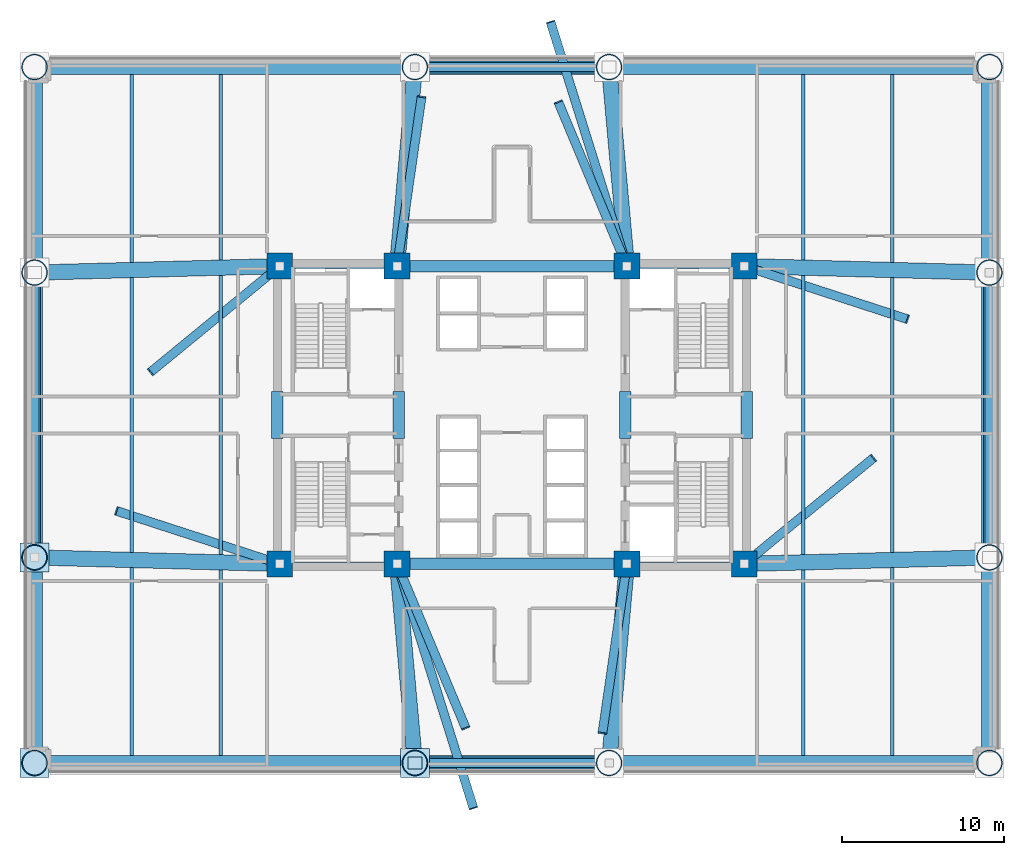
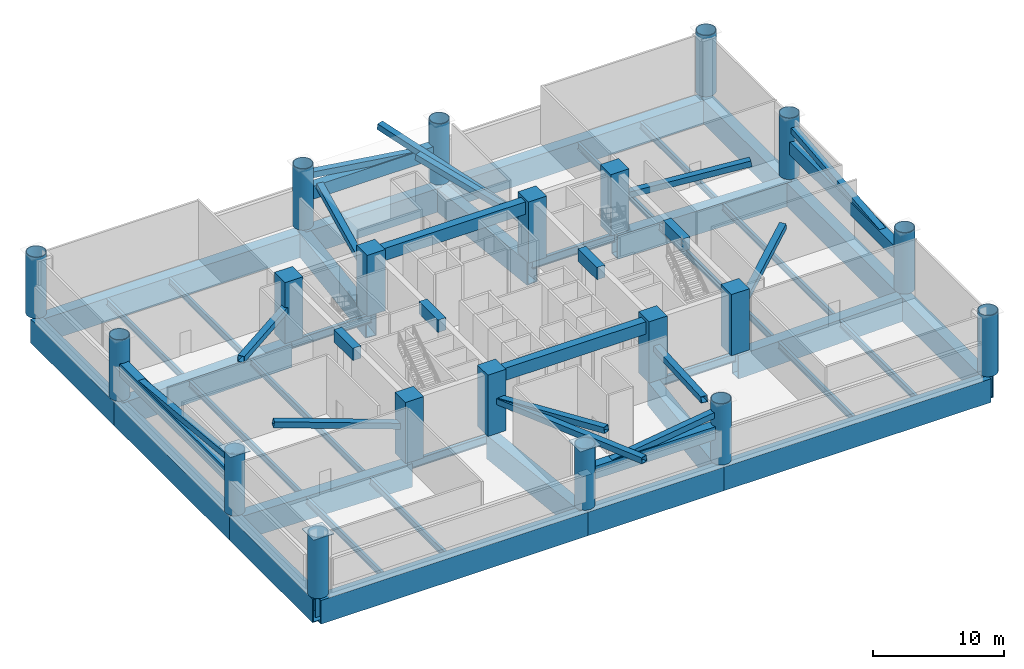
# One storey, part 1 of 10: 42 beams, 20 columns, 18 members, 4 plates.
"""IFC4 building model written with IfcOpenShell, lengths in metres."""

from ifc_helpers import new_model, si_unit, direction, frame, origin, origin_2d, place, context, subcontext, project, spatial, rectangle, hollow_rectangle, hollow_circle, i_section, extrude, source, transform, mapped, material, layer, layer_set, material_profile, profile_set, type_object, element, save


model = new_model("IFC4")

# Units and contexts
model_context = context("Model", 3, precision=1e-05, world=origin(), true_north=direction((0.0, 1.0)))
body_context = subcontext(model_context, "Body", "Model", "MODEL_VIEW")
ifc_project = project(units=[si_unit("LENGTHUNIT", "METRE"), si_unit("AREAUNIT", "SQUARE_METRE"), si_unit("VOLUMEUNIT", "CUBIC_METRE"), si_unit("PLANEANGLEUNIT", "RADIAN"), si_unit("MASSUNIT", "GRAM", prefix="KILO")], contexts=[model_context])

# Site, building, storey
site_placement = place(None, origin())
site = spatial("IfcSite", under=ifc_project, at=site_placement, CompositionType="ELEMENT")
building_placement = place(site_placement, origin())
building = spatial("IfcBuilding", under=site, at=building_placement, Name="Zahravan Cultural Tower", CompositionType="ELEMENT")
storey_placement = place(building_placement, frame((0.0, 0.0, 23.39990234375)))
storey = spatial("IfcBuildingStorey", under=building, at=storey_placement, Name="L04", CompositionType="ELEMENT", Elevation=23.39990234375)

# Columns
ifc_material_1 = material(Name="Concrete C60/75", Category="concrete")
ifc_material_profile_1 = material_profile(ifc_material_1, rectangle(XDim=1.60009765625, YDim=1.60009765625, at=origin_2d()), Name="RC1600X1600")
ifc_profile_set_1 = profile_set([ifc_material_profile_1], Name="Concrete C60/75")
column_type_1 = type_object("IfcColumnType", Name="COL-RC1600", PredefinedType="COLUMN", material=ifc_profile_set_1)
shared_shape_1 = source(origin(), body_context, "Body", "SweptSolid", [
    extrude(rectangle(XDim=1.60009765625, YDim=1.60009765625, at=origin_2d()), origin(), (0.0, 0.0, 1.0), 5.7001953125),
])
for number, where, z_axis, x_axis, name in (
    (1, (21.64990234375, 17.800048828125, 0.0), (0.0, 0.0, 1.0), (1.0, 0.0, 0.0), "L04 Column CC-W1"),
    (2, (28.89990234375, 17.800048828125, 0.0), (0.0, 0.0, 1.0), (1.0, 0.0, 0.0), "L04 Column CC-W2"),
    (3, (21.64990234375, 36.199951171875, 0.0), (0.0, 0.0, 1.0), (1.0, 0.0, 0.0), "L04 Column CC-W3"),
    (4, (28.89990234375, 36.199951171875, 0.0), (0.0, 0.0, 1.0), (1.0, 0.0, 0.0), "L04 Column CC-W4"),
    (5, (43.10009765625, 17.800048828125, 0.0), (0.0, 0.0, 1.0), (1.0, 0.0, 0.0), "L04 Column CC-E1"),
    (6, (50.35009765625, 17.800048828125, 0.0), (0.0, 0.0, 1.0), (1.0, 0.0, 0.0), "L04 Column CC-E2"),
    (7, (43.10009765625, 36.199951171875, 0.0), (0.0, 0.0, 1.0), (1.0, 0.0, 0.0), "L04 Column CC-E3"),
    (8, (50.35009765625, 36.199951171875, 0.0), (0.0, 0.0, 1.0), (1.0, 0.0, 0.0), "L04 Column CC-E4"),
):
    element("IfcColumn", number, at=place(storey_placement, frame(where, z_axis=z_axis, x_axis=x_axis)), inside=storey, type_object=column_type_1, Name=name, PredefinedType="COLUMN", context=body_context, shape_type="MappedRepresentation", body=[
        mapped(shared_shape_1, transform((0.0, 0.0, 0.0), x_axis=(1.0, 0.0, 0.0), y_axis=(0.0, 1.0, 0.0), z_axis=(0.0, 0.0, 1.0), scale=1.0)),
    ])
ifc_material_2 = material(Name="Steel ASTM A572 Grade 50", Category="steel")
ifc_material_profile_2 = material_profile(ifc_material_2, hollow_circle(Radius=0.800048828125, WallThickness=0.06005859375, at=origin_2d()), Name="CHS1600X60")
ifc_profile_set_2 = profile_set([ifc_material_profile_2], Name="Steel ASTM A572 Grade 50")
column_type_2 = type_object("IfcColumnType", Name="COL-STILT-1600", PredefinedType="COLUMN", material=ifc_profile_set_2)
shared_shape_2 = source(origin(), body_context, "Body", "SweptSolid", [
    extrude(hollow_circle(Radius=0.800048828125, WallThickness=0.06005859375, at=origin_2d()), origin(), (0.0, 0.0, 1.0), 5.7001953125),
])
for number, where, z_axis, x_axis, name in (
    (9, (6.5, 5.5, 0.0), (0.0, 0.0, 1.0), (1.0, 0.0, 0.0), "L04 Column PC-01"),
    (10, (30.0, 5.5, 0.0), (0.0, 0.0, 1.0), (1.0, 0.0, 0.0), "L04 Column PC-02"),
    (11, (42.0, 5.5, 0.0), (0.0, 0.0, 1.0), (1.0, 0.0, 0.0), "L04 Column PC-03"),
    (12, (65.5, 5.5, 0.0), (0.0, 0.0, 1.0), (1.0, 0.0, 0.0), "L04 Column PC-04"),
    (13, (6.5, 18.199951171875, 0.0), (0.0, 0.0, 1.0), (1.0, 0.0, 0.0), "L04 Column PC-05"),
    (14, (65.5, 18.199951171875, 0.0), (0.0, 0.0, 1.0), (1.0, 0.0, 0.0), "L04 Column PC-06"),
    (15, (6.5, 35.800048828125, 0.0), (0.0, 0.0, 1.0), (1.0, 0.0, 0.0), "L04 Column PC-07"),
    (16, (65.5, 35.800048828125, 0.0), (0.0, 0.0, 1.0), (1.0, 0.0, 0.0), "L04 Column PC-08"),
    (17, (6.5, 48.5, 0.0), (0.0, 0.0, 1.0), (1.0, 0.0, 0.0), "L04 Column PC-09"),
    (18, (30.0, 48.5, 0.0), (0.0, 0.0, 1.0), (1.0, 0.0, 0.0), "L04 Column PC-10"),
    (19, (42.0, 48.5, 0.0), (0.0, 0.0, 1.0), (1.0, 0.0, 0.0), "L04 Column PC-11"),
    (20, (65.5, 48.5, 0.0), (0.0, 0.0, 1.0), (1.0, 0.0, 0.0), "L04 Column PC-12"),
):
    element("IfcColumn", number, at=place(storey_placement, frame(where, z_axis=z_axis, x_axis=x_axis)), inside=storey, type_object=column_type_2, Name=name, PredefinedType="COLUMN", context=body_context, shape_type="MappedRepresentation", body=[
        mapped(shared_shape_2, transform((0.0, 0.0, 0.0), x_axis=(1.0, 0.0, 0.0), y_axis=(0.0, 1.0, 0.0), z_axis=(0.0, 0.0, 1.0), scale=1.0)),
    ])

# Beams
ifc_material_3 = material(Name="Concrete C50/60", Category="concrete")
ifc_material_profile_3 = material_profile(ifc_material_3, rectangle(XDim=0.699951171875, YDim=1.14990234375, at=origin_2d()), Name="RC700X1150")
ifc_profile_set_3 = profile_set([ifc_material_profile_3], Name="Concrete C50/60")
beam_type_1 = type_object("IfcBeamType", Name="BM-LN-RC700X1150", PredefinedType="LINTEL", material=ifc_profile_set_3)
shared_shape_3 = source(origin(), body_context, "Body", "SweptSolid", [
    extrude(rectangle(XDim=0.699951171875, YDim=1.14990234375, at=origin_2d()), origin(), (0.0, 0.0, 1.0), 14.2001953125),
])
for number, where, z_axis, x_axis, name in (
    (21, (28.89990234375, 17.800048828125, 4.875), (1.0, 0.0, 0.0), (0.0, 1.0, 0.0), "L04 Beam LN-L04-S"),
    (22, (28.89990234375, 36.199951171875, 4.875), (1.0, 0.0, 0.0), (0.0, 1.0, 0.0), "L04 Beam LN-L04-N"),
):
    element("IfcBeam", number, at=place(storey_placement, frame(where, z_axis=z_axis, x_axis=x_axis)), inside=storey, type_object=beam_type_1, Name=name, PredefinedType="LINTEL", context=body_context, shape_type="MappedRepresentation", body=[
        mapped(shared_shape_3, transform((0.0, 0.0, 0.0), x_axis=(1.0, 0.0, 0.0), y_axis=(0.0, 1.0, 0.0), z_axis=(0.0, 0.0, 1.0), scale=1.0)),
    ])
shared_shape_4 = source(origin(), body_context, "Body", "SweptSolid", [
    extrude(rectangle(XDim=0.699951171875, YDim=1.14990234375, at=origin_2d()), origin(), (0.0, 0.0, 1.0), 2.89990234375),
])
for number, where, z_axis, x_axis, name in (
    (23, (21.5, 25.550048828125, 4.875), (0.0, 1.0, 0.0), (-1.0, 0.0, 0.0), "L04 Beam LN-L04-PWW"),
    (24, (29.0, 25.550048828125, 4.875), (0.0, 1.0, 0.0), (-1.0, 0.0, 0.0), "L04 Beam LN-L04-PWE"),
    (25, (43.0, 25.550048828125, 4.875), (0.0, 1.0, 0.0), (-1.0, 0.0, 0.0), "L04 Beam LN-L04-PEW"),
    (26, (50.5, 25.550048828125, 4.875), (0.0, 1.0, 0.0), (-1.0, 0.0, 0.0), "L04 Beam LN-L04-PEE"),
):
    element("IfcBeam", number, at=place(storey_placement, frame(where, z_axis=z_axis, x_axis=x_axis)), inside=storey, type_object=beam_type_1, Name=name, PredefinedType="LINTEL", context=body_context, shape_type="MappedRepresentation", body=[
        mapped(shared_shape_4, transform((0.0, 0.0, 0.0), x_axis=(1.0, 0.0, 0.0), y_axis=(0.0, 1.0, 0.0), z_axis=(0.0, 0.0, 1.0), scale=1.0)),
    ])
ifc_material_4 = material(Name="Steel ASTM A992 Grade 50", Category="steel")
ifc_material_profile_4 = material_profile(ifc_material_4, i_section(OverallWidth=0.26611328125, OverallDepth=0.780029296875, WebThickness=0.0166015625, FlangeThickness=0.030029296875, FilletRadius=0.01904296875, at=origin_2d()), Name="W30X148")
ifc_profile_set_4 = profile_set([ifc_material_profile_4], Name="Steel ASTM A992 Grade 50")
beam_type_2 = type_object("IfcBeamType", Name="BM-G-W30X148", PredefinedType="BEAM", material=ifc_profile_set_4)
shared_shape_5 = source(origin(), body_context, "Body", "SweptSolid", [
    extrude(i_section(OverallWidth=0.26611328125, OverallDepth=0.780029296875, WebThickness=0.0166015625, FlangeThickness=0.030029296875, FilletRadius=0.01904296875, at=origin_2d()), origin(), (0.0, 0.0, 1.0), 7.25),
])
for number, where, z_axis, x_axis, name in (
    (27, (21.64990234375, 17.800048828125, -0.83984375), (1.0, 0.0, 0.0), (0.0, 1.0, 0.0), "L04 Beam BG-L04-01"),
    (28, (21.64990234375, 36.199951171875, -0.83984375), (1.0, 0.0, 0.0), (0.0, 1.0, 0.0), "L04 Beam BG-L04-02"),
    (29, (43.10009765625, 17.800048828125, -0.83984375), (1.0, 0.0, 0.0), (0.0, 1.0, 0.0), "L04 Beam BG-L04-04"),
    (30, (43.10009765625, 36.199951171875, -0.83984375), (1.0, 0.0, 0.0), (0.0, 1.0, 0.0), "L04 Beam BG-L04-05"),
):
    element("IfcBeam", number, at=place(storey_placement, frame(where, z_axis=z_axis, x_axis=x_axis)), inside=storey, type_object=beam_type_2, Name=name, PredefinedType="BEAM", context=body_context, shape_type="MappedRepresentation", body=[
        mapped(shared_shape_5, transform((0.0, 0.0, 0.0), x_axis=(1.0, 0.0, 0.0), y_axis=(0.0, 1.0, 0.0), z_axis=(0.0, 0.0, 1.0), scale=1.0)),
    ])
ifc_material_profile_5 = material_profile(ifc_material_2, hollow_rectangle(XDim=0.949951171875, YDim=2.199951171875, WallThickness=0.070068359375, at=origin_2d()), Name="BOX2200X950X70")
ifc_profile_set_5 = profile_set([ifc_material_profile_5], Name="Steel ASTM A572 Grade 50")
beam_type_3 = type_object("IfcBeamType", Name="BM-TR-BOX2200", PredefinedType="BEAM", material=ifc_profile_set_5)
shared_shape_6 = source(origin(), body_context, "Body", "SweptSolid", [
    extrude(hollow_rectangle(XDim=0.949951171875, YDim=2.199951171875, WallThickness=0.070068359375, at=origin_2d()), origin(), (0.0, 0.0, 1.0), 23.5),
])
for number, where, z_axis, x_axis, name in (
    (31, (6.5, 5.5, -1.5498046875), (1.0, 0.0, 0.0), (0.0, 1.0, 0.0), "L04 Beam BG-L04-07"),
    (32, (42.0, 5.5, -1.5498046875), (1.0, 0.0, 0.0), (0.0, 1.0, 0.0), "L04 Beam BG-L04-09"),
    (33, (6.5, 48.5, -1.5498046875), (1.0, 0.0, 0.0), (0.0, 1.0, 0.0), "L04 Beam BG-L04-10"),
    (34, (42.0, 48.5, -1.5498046875), (1.0, 0.0, 0.0), (0.0, 1.0, 0.0), "L04 Beam BG-L04-12"),
):
    element("IfcBeam", number, at=place(storey_placement, frame(where, z_axis=z_axis, x_axis=x_axis)), inside=storey, type_object=beam_type_3, Name=name, PredefinedType="BEAM", context=body_context, shape_type="MappedRepresentation", body=[
        mapped(shared_shape_6, transform((0.0, 0.0, 0.0), x_axis=(1.0, 0.0, 0.0), y_axis=(0.0, 1.0, 0.0), z_axis=(0.0, 0.0, 1.0), scale=1.0)),
    ])
shared_shape_7 = source(origin(), body_context, "Body", "SweptSolid", [
    extrude(hollow_rectangle(XDim=0.949951171875, YDim=2.199951171875, WallThickness=0.070068359375, at=origin_2d()), origin(), (0.0, 0.0, 1.0), 12.0),
])
for number, where, z_axis, x_axis, name in (
    (35, (30.0, 5.5, -1.5498046875), (1.0, 0.0, 0.0), (0.0, 1.0, 0.0), "L04 Beam BG-L04-08"),
    (36, (30.0, 48.5, -1.5498046875), (1.0, 0.0, 0.0), (0.0, 1.0, 0.0), "L04 Beam BG-L04-11"),
):
    element("IfcBeam", number, at=place(storey_placement, frame(where, z_axis=z_axis, x_axis=x_axis)), inside=storey, type_object=beam_type_3, Name=name, PredefinedType="BEAM", context=body_context, shape_type="MappedRepresentation", body=[
        mapped(shared_shape_7, transform((0.0, 0.0, 0.0), x_axis=(1.0, 0.0, 0.0), y_axis=(0.0, 1.0, 0.0), z_axis=(0.0, 0.0, 1.0), scale=1.0)),
    ])
shared_shape_8 = source(origin(), body_context, "Body", "SweptSolid", [
    extrude(hollow_rectangle(XDim=0.949951171875, YDim=2.199951171875, WallThickness=0.070068359375, at=origin_2d()), origin(), (0.0, 0.0, 1.0), 12.699951171875),
])
for number, where, z_axis, x_axis, name in (
    (37, (6.5, 5.5, -1.5498046875), (0.0, 1.0, 0.0), (-1.0, 0.0, 0.0), "L04 Beam BG-L04-13"),
    (38, (6.5, 35.800048828125, -1.5498046875), (0.0, 1.0, 0.0), (-1.0, 0.0, 0.0), "L04 Beam BG-L04-15"),
    (39, (65.5, 5.5, -1.5498046875), (0.0, 1.0, 0.0), (-1.0, 0.0, 0.0), "L04 Beam BG-L04-16"),
    (40, (65.5, 35.800048828125, -1.5498046875), (0.0, 1.0, 0.0), (-1.0, 0.0, 0.0), "L04 Beam BG-L04-18"),
):
    element("IfcBeam", number, at=place(storey_placement, frame(where, z_axis=z_axis, x_axis=x_axis)), inside=storey, type_object=beam_type_3, Name=name, PredefinedType="BEAM", context=body_context, shape_type="MappedRepresentation", body=[
        mapped(shared_shape_8, transform((0.0, 0.0, 0.0), x_axis=(1.0, 0.0, 0.0), y_axis=(0.0, 1.0, 0.0), z_axis=(0.0, 0.0, 1.0), scale=1.0)),
    ])
shared_shape_9 = source(origin(), body_context, "Body", "SweptSolid", [
    extrude(hollow_rectangle(XDim=0.949951171875, YDim=2.199951171875, WallThickness=0.070068359375, at=origin_2d()), origin(), (0.0, 0.0, 1.0), 17.60009765625),
])
for number, where, z_axis, x_axis, name in (
    (41, (6.5, 18.199951171875, -1.5498046875), (0.0, 1.0, 0.0), (-1.0, 0.0, 0.0), "L04 Beam BG-L04-14"),
    (42, (65.5, 18.199951171875, -1.5498046875), (0.0, 1.0, 0.0), (-1.0, 0.0, 0.0), "L04 Beam BG-L04-17"),
):
    element("IfcBeam", number, at=place(storey_placement, frame(where, z_axis=z_axis, x_axis=x_axis)), inside=storey, type_object=beam_type_3, Name=name, PredefinedType="BEAM", context=body_context, shape_type="MappedRepresentation", body=[
        mapped(shared_shape_9, transform((0.0, 0.0, 0.0), x_axis=(1.0, 0.0, 0.0), y_axis=(0.0, 1.0, 0.0), z_axis=(0.0, 0.0, 1.0), scale=1.0)),
    ])
shared_shape_10 = source(origin(), body_context, "Body", "SweptSolid", [
    extrude(hollow_rectangle(XDim=0.949951171875, YDim=2.199951171875, WallThickness=0.070068359375, at=origin_2d()), origin(), (0.0, 0.0, 1.0), 15.1552734375),
])
for number, where, z_axis, x_axis, name in (
    (43, (6.5, 18.199951171875, -1.5498046875), (0.999651797923, -0.026387173188, 0.0), (0.026387173188, 0.999651797923, 0.0), "L04 Beam BG-L04-19"),
    (44, (6.5, 35.800048828125, -1.5498046875), (0.999651797923, 0.026387173188, 0.0), (-0.026387173188, 0.999651797923, 0.0), "L04 Beam BG-L04-20"),
    (45, (65.5, 18.199951171875, -1.5498046875), (-0.999651797923, -0.026387173188, 0.0), (0.026387173188, -0.999651797923, 0.0), "L04 Beam BG-L04-21"),
    (46, (65.5, 35.800048828125, -1.5498046875), (-0.999651797923, 0.026387173188, 0.0), (-0.026387173188, -0.999651797923, 0.0), "L04 Beam BG-L04-22"),
):
    element("IfcBeam", number, at=place(storey_placement, frame(where, z_axis=z_axis, x_axis=x_axis)), inside=storey, type_object=beam_type_3, Name=name, PredefinedType="BEAM", context=body_context, shape_type="MappedRepresentation", body=[
        mapped(shared_shape_10, transform((0.0, 0.0, 0.0), x_axis=(1.0, 0.0, 0.0), y_axis=(0.0, 1.0, 0.0), z_axis=(0.0, 0.0, 1.0), scale=1.0)),
    ])
shared_shape_11 = source(origin(), body_context, "Body", "SweptSolid", [
    extrude(hollow_rectangle(XDim=0.949951171875, YDim=2.199951171875, WallThickness=0.070068359375, at=origin_2d()), origin(), (0.0, 0.0, 1.0), 12.34912109375),
])
for number, where, z_axis, x_axis, name in (
    (47, (30.0, 5.5, -1.5498046875), (-0.089082890706, 0.996024215862, 0.0), (-0.996024215862, -0.089082890706, 0.0), "L04 Beam BG-L04-23"),
    (48, (42.0, 5.5, -1.5498046875), (0.089082890706, 0.996024215862, 0.0), (-0.996024215862, 0.089082890706, 0.0), "L04 Beam BG-L04-24"),
    (49, (30.0, 48.5, -1.5498046875), (-0.089082890706, -0.996024215862, 0.0), (0.996024215862, -0.089082890706, 0.0), "L04 Beam BG-L04-25"),
    (50, (42.0, 48.5, -1.5498046875), (0.089082890706, -0.996024215862, 0.0), (0.996024215862, 0.089082890706, 0.0), "L04 Beam BG-L04-26"),
):
    element("IfcBeam", number, at=place(storey_placement, frame(where, z_axis=z_axis, x_axis=x_axis)), inside=storey, type_object=beam_type_3, Name=name, PredefinedType="BEAM", context=body_context, shape_type="MappedRepresentation", body=[
        mapped(shared_shape_11, transform((0.0, 0.0, 0.0), x_axis=(1.0, 0.0, 0.0), y_axis=(0.0, 1.0, 0.0), z_axis=(0.0, 0.0, 1.0), scale=1.0)),
    ])
ifc_material_profile_6 = material_profile(ifc_material_4, i_section(OverallWidth=0.22998046875, OverallDepth=0.616943359375, WebThickness=0.01318359375, FlangeThickness=0.022216796875, FilletRadius=0.014892578125, at=origin_2d()), Name="W24X94")
ifc_profile_set_6 = profile_set([ifc_material_profile_6], Name="Steel ASTM A992 Grade 50")
beam_type_4 = type_object("IfcBeamType", Name="BM-J-W24X94", PredefinedType="JOIST", material=ifc_profile_set_6)
shared_shape_12 = source(origin(), body_context, "Body", "SweptSolid", [
    extrude(i_section(OverallWidth=0.22998046875, OverallDepth=0.616943359375, WebThickness=0.01318359375, FlangeThickness=0.022216796875, FilletRadius=0.014892578125, at=origin_2d()), origin(), (0.0, 0.0, 1.0), 11.591552734375),
])
for number, where, z_axis, x_axis, name in (
    (51, (12.5, 5.97509765625, -0.75830078125), (0.0, 1.0, 0.0), (-1.0, 0.0, 0.0), "L04 Beam BJ-L04-27"),
    (52, (12.5, 36.433349609375, -0.75830078125), (0.0, 1.0, 0.0), (-1.0, 0.0, 0.0), "L04 Beam BJ-L04-29"),
    (53, (59.5, 5.97509765625, -0.75830078125), (0.0, 1.0, 0.0), (-1.0, 0.0, 0.0), "L04 Beam BJ-L04-36"),
    (54, (59.5, 36.433349609375, -0.75830078125), (0.0, 1.0, 0.0), (-1.0, 0.0, 0.0), "L04 Beam BJ-L04-38"),
):
    element("IfcBeam", number, at=place(storey_placement, frame(where, z_axis=z_axis, x_axis=x_axis)), inside=storey, type_object=beam_type_4, Name=name, PredefinedType="JOIST", context=body_context, shape_type="MappedRepresentation", body=[
        mapped(shared_shape_12, transform((0.0, 0.0, 0.0), x_axis=(1.0, 0.0, 0.0), y_axis=(0.0, 1.0, 0.0), z_axis=(0.0, 0.0, 1.0), scale=1.0)),
    ])
shared_shape_13 = source(origin(), body_context, "Body", "SweptSolid", [
    extrude(i_section(OverallWidth=0.22998046875, OverallDepth=0.616943359375, WebThickness=0.01318359375, FlangeThickness=0.022216796875, FilletRadius=0.014892578125, at=origin_2d()), origin(), (0.0, 0.0, 1.0), 16.966796875),
])
for number, where, z_axis, x_axis, name in (
    (55, (12.5, 18.5166015625, -0.75830078125), (0.0, 1.0, 0.0), (-1.0, 0.0, 0.0), "L04 Beam BJ-L04-28"),
    (56, (59.5, 18.5166015625, -0.75830078125), (0.0, 1.0, 0.0), (-1.0, 0.0, 0.0), "L04 Beam BJ-L04-37"),
):
    element("IfcBeam", number, at=place(storey_placement, frame(where, z_axis=z_axis, x_axis=x_axis)), inside=storey, type_object=beam_type_4, Name=name, PredefinedType="JOIST", context=body_context, shape_type="MappedRepresentation", body=[
        mapped(shared_shape_13, transform((0.0, 0.0, 0.0), x_axis=(1.0, 0.0, 0.0), y_axis=(0.0, 1.0, 0.0), z_axis=(0.0, 0.0, 1.0), scale=1.0)),
    ])
shared_shape_14 = source(origin(), body_context, "Body", "SweptSolid", [
    extrude(i_section(OverallWidth=0.22998046875, OverallDepth=0.616943359375, WebThickness=0.01318359375, FlangeThickness=0.022216796875, FilletRadius=0.014892578125, at=origin_2d()), origin(), (0.0, 0.0, 1.0), 11.4462890625),
])
for number, where, z_axis, x_axis, name in (
    (57, (18.0, 5.97509765625, -0.75830078125), (0.0, 1.0, 0.0), (-1.0, 0.0, 0.0), "L04 Beam BJ-L04-30"),
    (58, (18.0, 36.57861328125, -0.75830078125), (0.0, 1.0, 0.0), (-1.0, 0.0, 0.0), "L04 Beam BJ-L04-32"),
    (59, (54.0, 5.97509765625, -0.75830078125), (0.0, 1.0, 0.0), (-1.0, 0.0, 0.0), "L04 Beam BJ-L04-33"),
    (60, (54.0, 36.57861328125, -0.75830078125), (0.0, 1.0, 0.0), (-1.0, 0.0, 0.0), "L04 Beam BJ-L04-35"),
):
    element("IfcBeam", number, at=place(storey_placement, frame(where, z_axis=z_axis, x_axis=x_axis)), inside=storey, type_object=beam_type_4, Name=name, PredefinedType="JOIST", context=body_context, shape_type="MappedRepresentation", body=[
        mapped(shared_shape_14, transform((0.0, 0.0, 0.0), x_axis=(1.0, 0.0, 0.0), y_axis=(0.0, 1.0, 0.0), z_axis=(0.0, 0.0, 1.0), scale=1.0)),
    ])
shared_shape_15 = source(origin(), body_context, "Body", "SweptSolid", [
    extrude(i_section(OverallWidth=0.22998046875, OverallDepth=0.616943359375, WebThickness=0.01318359375, FlangeThickness=0.022216796875, FilletRadius=0.014892578125, at=origin_2d()), origin(), (0.0, 0.0, 1.0), 17.25732421875),
])
for number, where, z_axis, x_axis, name in (
    (61, (18.0, 18.371337890625, -0.75830078125), (0.0, 1.0, 0.0), (-1.0, 0.0, 0.0), "L04 Beam BJ-L04-31"),
    (62, (54.0, 18.371337890625, -0.75830078125), (0.0, 1.0, 0.0), (-1.0, 0.0, 0.0), "L04 Beam BJ-L04-34"),
):
    element("IfcBeam", number, at=place(storey_placement, frame(where, z_axis=z_axis, x_axis=x_axis)), inside=storey, type_object=beam_type_4, Name=name, PredefinedType="JOIST", context=body_context, shape_type="MappedRepresentation", body=[
        mapped(shared_shape_15, transform((0.0, 0.0, 0.0), x_axis=(1.0, 0.0, 0.0), y_axis=(0.0, 1.0, 0.0), z_axis=(0.0, 0.0, 1.0), scale=1.0)),
    ])

# Members
ifc_material_profile_7 = material_profile(ifc_material_2, hollow_rectangle(XDim=0.550048828125, YDim=0.550048828125, WallThickness=0.028076171875, at=origin_2d()), Name="HSS550X550X28")
ifc_profile_set_7 = profile_set([ifc_material_profile_7], Name="Steel ASTM A572 Grade 50")
member_type_1 = type_object("IfcMemberType", Name="MB-BR-HSS550", PredefinedType="BRACE", material=ifc_profile_set_7)
shared_shape_16 = source(origin(), body_context, "Body", "SweptSolid", [
    extrude(hollow_rectangle(XDim=0.550048828125, YDim=0.550048828125, WallThickness=0.028076171875, at=origin_2d()), origin(), (0.0, 0.0, 1.0), 12.119873046875),
])
for number, where, z_axis, x_axis, name in (
    (63, (30.0, 5.5, 2.900146484375), (0.990114398202, 0.0, 0.140262177626), (0.0, 1.0, 0.0), "L04 Belt Truss Diagonal 01"),
    (64, (42.0, 48.5, 2.900146484375), (-0.990114398202, 0.0, 0.140262177626), (0.0, -1.0, 0.0), "L04 Belt Truss Diagonal 03"),
):
    element("IfcMember", number, at=place(storey_placement, frame(where, z_axis=z_axis, x_axis=x_axis)), inside=storey, type_object=member_type_1, Name=name, PredefinedType="BRACE", context=body_context, shape_type="MappedRepresentation", body=[
        mapped(shared_shape_16, transform((0.0, 0.0, 0.0), x_axis=(1.0, 0.0, 0.0), y_axis=(0.0, 1.0, 0.0), z_axis=(0.0, 0.0, 1.0), scale=1.0)),
    ])
ifc_material_profile_8 = material_profile(ifc_material_2, hollow_rectangle(XDim=0.75, YDim=1.199951171875, WallThickness=0.050048828125, at=origin_2d()), Name="BOX1200X750X50")
ifc_profile_set_8 = profile_set([ifc_material_profile_8], Name="Steel ASTM A572 Grade 50")
member_type_2 = type_object("IfcMemberType", Name="MB-CH-BOX1200", PredefinedType="CHORD", material=ifc_profile_set_8)
shared_shape_17 = source(origin(), body_context, "Body", "SweptSolid", [
    extrude(hollow_rectangle(XDim=0.75, YDim=1.199951171875, WallThickness=0.050048828125, at=origin_2d()), origin(), (0.0, 0.0, 1.0), 12.0),
])
for number, where, z_axis, x_axis, name in (
    (65, (30.0, 5.5, 2.900146484375), (1.0, 0.0, 0.0), (0.0, 1.0, 0.0), "L04 Belt Truss Bottom Chord 01"),
    (66, (42.0, 48.5, 2.900146484375), (-1.0, 0.0, 0.0), (0.0, -1.0, 0.0), "L04 Belt Truss Bottom Chord 03"),
):
    element("IfcMember", number, at=place(storey_placement, frame(where, z_axis=z_axis, x_axis=x_axis)), inside=storey, type_object=member_type_2, Name=name, PredefinedType="CHORD", context=body_context, shape_type="MappedRepresentation", body=[
        mapped(shared_shape_17, transform((0.0, 0.0, 0.0), x_axis=(1.0, 0.0, 0.0), y_axis=(0.0, 1.0, 0.0), z_axis=(0.0, 0.0, 1.0), scale=1.0)),
    ])
shared_shape_18 = source(origin(), body_context, "Body", "SweptSolid", [
    extrude(hollow_rectangle(XDim=0.550048828125, YDim=0.550048828125, WallThickness=0.028076171875, at=origin_2d()), origin(), (0.0, 0.0, 1.0), 17.681884765625),
])
for number, where, z_axis, x_axis, name in (
    (67, (65.5, 18.199951171875, 2.900146484375), (0.0, 0.995367803685, 0.096140186115), (-1.0, 0.0, 0.0), "L04 Belt Truss Diagonal 02"),
    (68, (6.5, 35.800048828125, 2.900146484375), (0.0, -0.995367803685, 0.096140186115), (1.0, 0.0, 0.0), "L04 Belt Truss Diagonal 04"),
):
    element("IfcMember", number, at=place(storey_placement, frame(where, z_axis=z_axis, x_axis=x_axis)), inside=storey, type_object=member_type_1, Name=name, PredefinedType="BRACE", context=body_context, shape_type="MappedRepresentation", body=[
        mapped(shared_shape_18, transform((0.0, 0.0, 0.0), x_axis=(1.0, 0.0, 0.0), y_axis=(0.0, 1.0, 0.0), z_axis=(0.0, 0.0, 1.0), scale=1.0)),
    ])
shared_shape_19 = source(origin(), body_context, "Body", "SweptSolid", [
    extrude(hollow_rectangle(XDim=0.75, YDim=1.199951171875, WallThickness=0.050048828125, at=origin_2d()), origin(), (0.0, 0.0, 1.0), 17.60009765625),
])
for number, where, z_axis, x_axis, name in (
    (69, (65.5, 18.199951171875, 2.900146484375), (0.0, 1.0, 0.0), (-1.0, 0.0, 0.0), "L04 Belt Truss Bottom Chord 02"),
    (70, (6.5, 35.800048828125, 2.900146484375), (0.0, -1.0, 0.0), (1.0, 0.0, 0.0), "L04 Belt Truss Bottom Chord 04"),
):
    element("IfcMember", number, at=place(storey_placement, frame(where, z_axis=z_axis, x_axis=x_axis)), inside=storey, type_object=member_type_2, Name=name, PredefinedType="CHORD", context=body_context, shape_type="MappedRepresentation", body=[
        mapped(shared_shape_19, transform((0.0, 0.0, 0.0), x_axis=(1.0, 0.0, 0.0), y_axis=(0.0, 1.0, 0.0), z_axis=(0.0, 0.0, 1.0), scale=1.0)),
    ])
shared_shape_20 = source(origin(), body_context, "Body", "SweptSolid", [
    extrude(hollow_rectangle(XDim=0.550048828125, YDim=0.550048828125, WallThickness=0.028076171875, at=origin_2d()), origin(), (0.0, 0.0, 1.0), 10.470947265625),
])
for number, where, z_axis, x_axis, name in (
    (71, (50.35009765625, 17.800048828125, 2.900146484375), (0.762973119437, 0.625711170529, 0.162350084975), (-0.634123952713, 0.773231409473, 0.0), "L04 Outrigger Diagonal 05"),
    (72, (21.64990234375, 36.199951171875, 2.900146484375), (-0.762973119437, -0.625711170529, 0.162350084975), (0.634123952713, -0.773231409473, 0.0), "L04 Outrigger Diagonal 09"),
):
    element("IfcMember", number, at=place(storey_placement, frame(where, z_axis=z_axis, x_axis=x_axis)), inside=storey, type_object=member_type_1, Name=name, PredefinedType="BRACE", context=body_context, shape_type="MappedRepresentation", body=[
        mapped(shared_shape_20, transform((0.0, 0.0, 0.0), x_axis=(1.0, 0.0, 0.0), y_axis=(0.0, 1.0, 0.0), z_axis=(0.0, 0.0, 1.0), scale=1.0)),
    ])
shared_shape_21 = source(origin(), body_context, "Body", "SweptSolid", [
    extrude(hollow_rectangle(XDim=0.550048828125, YDim=0.550048828125, WallThickness=0.028076171875, at=origin_2d()), origin(), (0.0, 0.0, 1.0), 10.751220703125),
])
for number, where, z_axis, x_axis, name in (
    (73, (50.35009765625, 36.199951171875, 2.900146484375), (0.939099544961, -0.305108003533, 0.158117522224), (0.30899506875, 0.951063640083, 0.0), "L04 Outrigger Diagonal 06"),
    (74, (21.64990234375, 17.800048828125, 2.900146484375), (-0.939099544961, 0.305108003533, 0.158117522224), (-0.30899506875, -0.951063640083, 0.0), "L04 Outrigger Diagonal 10"),
):
    element("IfcMember", number, at=place(storey_placement, frame(where, z_axis=z_axis, x_axis=x_axis)), inside=storey, type_object=member_type_1, Name=name, PredefinedType="BRACE", context=body_context, shape_type="MappedRepresentation", body=[
        mapped(shared_shape_21, transform((0.0, 0.0, 0.0), x_axis=(1.0, 0.0, 0.0), y_axis=(0.0, 1.0, 0.0), z_axis=(0.0, 0.0, 1.0), scale=1.0)),
    ])
shared_shape_22 = source(origin(), body_context, "Body", "SweptSolid", [
    extrude(hollow_rectangle(XDim=0.550048828125, YDim=0.550048828125, WallThickness=0.028076171875, at=origin_2d()), origin(), (0.0, 0.0, 1.0), 11.12841796875),
])
for number, where, z_axis, x_axis, name in (
    (75, (43.10009765625, 36.199951171875, 2.900146484375), (-0.38124761385, 0.911764922984, 0.152757920085), (-0.922592806297, -0.385775211449, 0.0), "L04 Outrigger Diagonal 07"),
    (76, (28.89990234375, 17.800048828125, 2.900146484375), (0.38124761385, -0.911764922984, 0.152757920085), (0.922592806297, 0.385775211449, 0.0), "L04 Outrigger Diagonal 11"),
):
    element("IfcMember", number, at=place(storey_placement, frame(where, z_axis=z_axis, x_axis=x_axis)), inside=storey, type_object=member_type_1, Name=name, PredefinedType="BRACE", context=body_context, shape_type="MappedRepresentation", body=[
        mapped(shared_shape_22, transform((0.0, 0.0, 0.0), x_axis=(1.0, 0.0, 0.0), y_axis=(0.0, 1.0, 0.0), z_axis=(0.0, 0.0, 1.0), scale=1.0)),
    ])
shared_shape_23 = source(origin(), body_context, "Body", "SweptSolid", [
    extrude(hollow_rectangle(XDim=0.550048828125, YDim=0.550048828125, WallThickness=0.028076171875, at=origin_2d()), origin(), (0.0, 0.0, 1.0), 10.703369140625),
])
for number, where, z_axis, x_axis, name in (
    (77, (28.89990234375, 36.199951171875, 2.900146484375), (0.141557980888, 0.977105901914, 0.158825043654), (-0.989668011966, 0.143377913539, 0.0), "L04 Outrigger Diagonal 08"),
    (78, (43.10009765625, 17.800048828125, 2.900146484375), (-0.141557980888, -0.977105901914, 0.158825043654), (0.989668011966, -0.143377913539, 0.0), "L04 Outrigger Diagonal 12"),
):
    element("IfcMember", number, at=place(storey_placement, frame(where, z_axis=z_axis, x_axis=x_axis)), inside=storey, type_object=member_type_1, Name=name, PredefinedType="BRACE", context=body_context, shape_type="MappedRepresentation", body=[
        mapped(shared_shape_23, transform((0.0, 0.0, 0.0), x_axis=(1.0, 0.0, 0.0), y_axis=(0.0, 1.0, 0.0), z_axis=(0.0, 0.0, 1.0), scale=1.0)),
    ])
shared_shape_24 = source(origin(), body_context, "Body", "SweptSolid", [
    extrude(hollow_rectangle(XDim=0.550048828125, YDim=0.550048828125, WallThickness=0.028076171875, at=origin_2d()), origin(), (0.0, 0.0, 1.0), 15.909423828125),
])
for number, where, z_axis, x_axis, name in (
    (79, (43.10009765625, 36.199951171875, 2.900146484375), (-0.296739479096, 0.948961713184, 0.106851993223), (-0.954425860791, -0.298448113167, 0.0), "L04 Outrigger Diagonal 13"),
    (80, (28.89990234375, 17.800048828125, 2.900146484375), (0.296739479096, -0.948961713184, 0.106851993223), (0.954425860791, 0.298448113167, 0.0), "L04 Outrigger Diagonal 14"),
):
    element("IfcMember", number, at=place(storey_placement, frame(where, z_axis=z_axis, x_axis=x_axis)), inside=storey, type_object=member_type_1, Name=name, PredefinedType="BRACE", context=body_context, shape_type="MappedRepresentation", body=[
        mapped(shared_shape_24, transform((0.0, 0.0, 0.0), x_axis=(1.0, 0.0, 0.0), y_axis=(0.0, 1.0, 0.0), z_axis=(0.0, 0.0, 1.0), scale=1.0)),
    ])

# Plates
ifc_layer_1 = layer(ifc_material_2, 0.06005859375)
ifc_layer_set_1 = layer_set([ifc_layer_1], Name="Steel ASTM A572 Grade 50")
plate_type_1 = type_object("IfcPlateType", Name="PL-CAP-1800", PredefinedType="SHEET", material=ifc_layer_set_1)
shared_shape_25 = source(origin(), body_context, "Body", "SweptSolid", [
    extrude(rectangle(XDim=1.800048828125, YDim=1.800048828125, at=origin_2d()), origin(), (0.0, 0.0, 1.0), 0.06005859375),
])
for number, where, z_axis, x_axis, name in (
    (81, (6.5, 5.5, 5.670166015625), (0.0, 0.0, 1.0), (1.0, 0.0, 0.0), "L04 Pilotis Column Top Cap Plate PC-01"),
    (82, (30.0, 5.5, 5.670166015625), (0.0, 0.0, 1.0), (1.0, 0.0, 0.0), "L04 Pilotis Column Top Cap Plate PC-02"),
    (83, (6.5, 18.199951171875, 5.670166015625), (0.0, 0.0, 1.0), (1.0, 0.0, 0.0), "L04 Pilotis Column Top Cap Plate PC-05"),
):
    element("IfcPlate", number, at=place(storey_placement, frame(where, z_axis=z_axis, x_axis=x_axis)), inside=storey, type_object=plate_type_1, Name=name, PredefinedType="SHEET", context=body_context, shape_type="MappedRepresentation", body=[
        mapped(shared_shape_25, transform((0.0, 0.0, 0.0), x_axis=(1.0, 0.0, 0.0), y_axis=(0.0, 1.0, 0.0), z_axis=(0.0, 0.0, 1.0), scale=1.0)),
    ])
ifc_layer_2 = layer(ifc_material_2, 0.044921875)
ifc_layer_set_2 = layer_set([ifc_layer_2], Name="Steel ASTM A572 Grade 50")
plate_type_2 = type_object("IfcPlateType", Name="PL-NODE-45", PredefinedType="SHEET", material=ifc_layer_set_2)
shared_shape_26 = source(origin(), body_context, "Body", "SweptSolid", [
    extrude(rectangle(XDim=0.85009765625, YDim=0.75, at=origin_2d()), origin(), (0.0, 0.0, 1.0), 0.044921875),
])
plate_placement = place(storey_placement, frame((30.0, 5.5, 2.877685546875), z_axis=(0.0, 0.0, 1.0), x_axis=(1.0, 0.0, 0.0)))
element("IfcPlate", 84, at=plate_placement, inside=storey, type_object=plate_type_2, Name="L04 Belt Node Cap Plate ON1", PredefinedType="SHEET", context=body_context, shape_type="MappedRepresentation", body=[
    mapped(shared_shape_26, transform((0.0, 0.0, 0.0), x_axis=(1.0, 0.0, 0.0), y_axis=(0.0, 1.0, 0.0), z_axis=(0.0, 0.0, 1.0), scale=1.0)),
])

save(model, "model.ifc")
